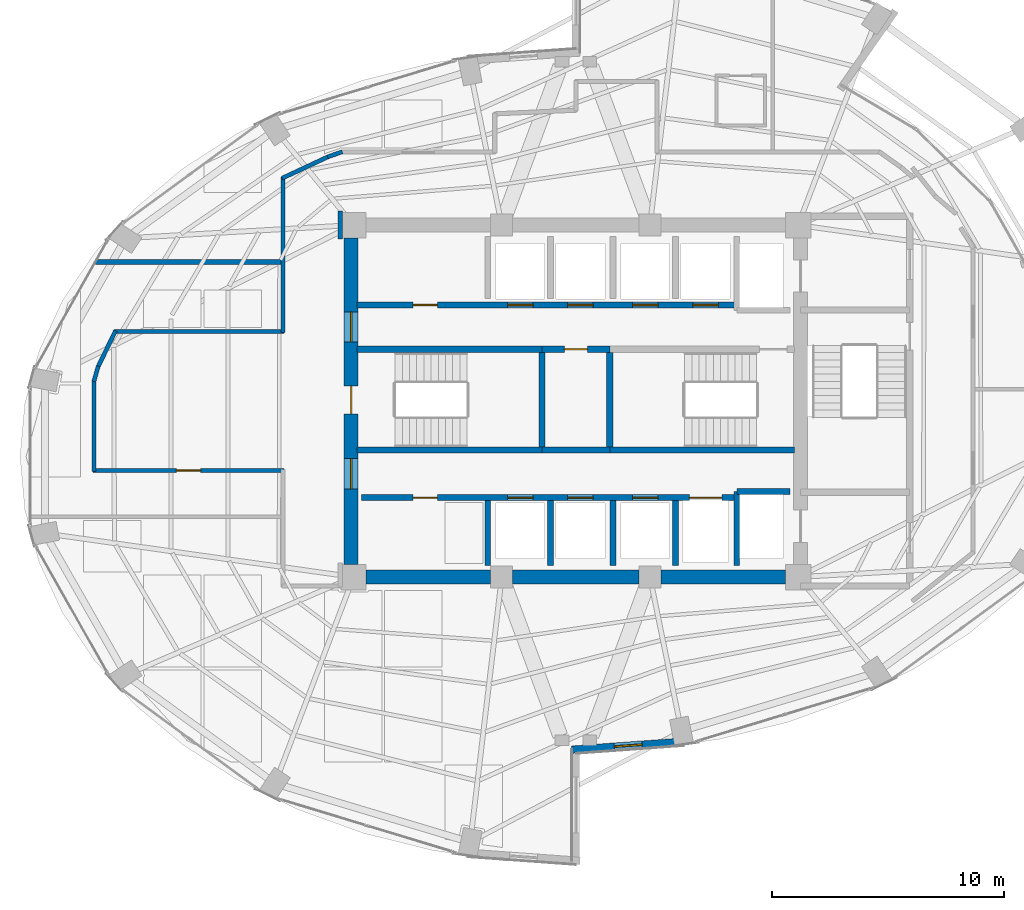
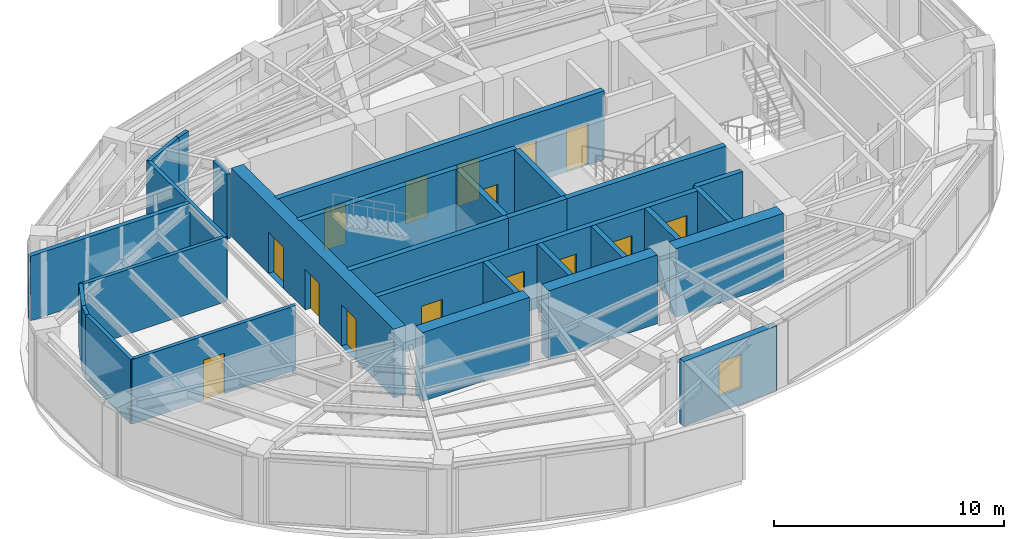
# One storey, part 15 of 19: 30 walls, 15 doors, 1 window, 16 openings.
"""IFC4 building model written with IfcOpenShell, lengths in metres."""

from ifc_helpers import new_model, si_unit, direction, frame, frame_2d, origin, place, context, subcontext, project, spatial, rectangle, extrude, material, layer, layer_set, type_object, element, fill, save


model = new_model("IFC4")

# Units and contexts
model_context = context("Model", 3, precision=1e-05, world=origin(), true_north=direction((0.0, 1.0)))
body_context = subcontext(model_context, "Body", "Model", "MODEL_VIEW")
ifc_project = project(units=[si_unit("LENGTHUNIT", "METRE"), si_unit("AREAUNIT", "SQUARE_METRE"), si_unit("VOLUMEUNIT", "CUBIC_METRE"), si_unit("PLANEANGLEUNIT", "RADIAN"), si_unit("MASSUNIT", "GRAM", prefix="KILO")], contexts=[model_context])

# Site, building, storey
site_placement = place(None, origin())
site = spatial("IfcSite", under=ifc_project, at=site_placement, CompositionType="ELEMENT")
building_placement = place(site_placement, origin())
building = spatial("IfcBuilding", under=site, at=building_placement, Name="Lazwardi Medical Tower", CompositionType="ELEMENT")
storey_placement = place(building_placement, frame((0.0, 0.0, 171.1201171875)))
storey = spatial("IfcBuildingStorey", under=building, at=storey_placement, Name="L44", CompositionType="ELEMENT", Elevation=171.1201171875)

# Walls
ifc_material_1 = material(Name="Fire-rated gypsum board on steel stud", Category="steel")
ifc_layer_1 = layer(ifc_material_1, 0.179931640625)
ifc_layer_set_1 = layer_set([ifc_layer_1], Name="Fire-rated gypsum board on steel stud")
wall_type_1 = type_object("IfcWallType", Name="WL-COR-180", PredefinedType="PARTITIONING", material=ifc_layer_set_1)
wall_1_placement = place(storey_placement, frame((15.350341796875, 29.435791015625, 0.0), z_axis=(0.0, 0.0, 1.0), x_axis=(0.436196025907, 0.899851669434, 0.0)))
element("IfcWall", 1, at=wall_1_placement, inside=storey, type_object=wall_type_1, Name="L44 Corridor partition 1", PredefinedType="PARTITIONING", context=body_context, shape_type="SweptSolid", body=[
    extrude(rectangle(XDim=1.778076171875, YDim=0.179931640625, at=frame_2d((0.88916015625, 0.0))), origin(), (0.0, 0.0, 1.0), 3.427978515625),
])
wall_2_placement = place(storey_placement, frame((16.068359375, 31.0, 0.0), z_axis=(0.0, 0.0, 1.0), x_axis=(1.0, 0.0, 0.0)))
element("IfcWall", 2, at=wall_2_placement, inside=storey, type_object=wall_type_1, Name="L44 Corridor partition 2", PredefinedType="PARTITIONING", context=body_context, shape_type="SweptSolid", body=[
    extrude(rectangle(XDim=7.321533203125, YDim=0.179931640625, at=frame_2d((3.66064453125, 0.0))), origin(), (0.0, 0.0, 1.0), 3.427978515625),
])
wall_3_placement = place(storey_placement, frame((23.35009765625, 30.9599609375, 0.0), z_axis=(0.0, 0.0, 1.0), x_axis=(0.0, 1.0, 0.0)))
element("IfcWall", 3, at=wall_3_placement, inside=storey, type_object=wall_type_1, Name="L44 Corridor partition 3", PredefinedType="PARTITIONING", context=body_context, shape_type="SweptSolid", body=[
    extrude(rectangle(XDim=6.7138671875, YDim=0.179931640625, at=frame_2d((3.35693359375, 0.0))), origin(), (0.0, 0.0, 1.0), 3.427978515625),
])
wall_4_placement = place(storey_placement, frame((23.313720703125, 37.616943359375, 0.0), z_axis=(0.0, 0.0, 1.0), x_axis=(0.905731790856, 0.423851298255, 0.0)))
element("IfcWall", 4, at=wall_4_placement, inside=storey, type_object=wall_type_1, Name="L44 Corridor partition 4", PredefinedType="PARTITIONING", context=body_context, shape_type="SweptSolid", body=[
    extrude(rectangle(XDim=2.255126953125, YDim=0.179931640625, at=frame_2d((1.12744140625, 0.0))), origin(), (0.0, 0.0, 1.0), 3.427978515625),
])
wall_5_placement = place(storey_placement, frame((25.2822265625, 38.54248046875, 0.0), z_axis=(0.0, 0.0, 1.0), x_axis=(0.94508059942, 0.326837361085, 0.0)))
element("IfcWall", 5, at=wall_5_placement, inside=storey, type_object=wall_type_1, Name="L44 Corridor partition 5", PredefinedType="PARTITIONING", context=body_context, shape_type="SweptSolid", body=[
    extrude(rectangle(XDim=0.67529296875, YDim=0.179931640625, at=frame_2d((0.337646484375, 0.0))), origin(), (0.0, 0.0, 1.0), 3.427978515625),
])
wall_6_placement = place(storey_placement, frame((25.830078125, 36.2099609375, 0.0), z_axis=(0.0, 0.0, 1.0), x_axis=(0.0, -1.0, 0.0)))
element("IfcWall", 6, at=wall_6_placement, inside=storey, type_object=wall_type_1, Name="L44 Corridor partition 20", PredefinedType="PARTITIONING", context=body_context, shape_type="SweptSolid", body=[
    extrude(rectangle(XDim=1.219970703125, YDim=0.179931640625, at=frame_2d((0.60986328125, 0.0))), origin(), (0.0, 0.0, 1.0), 3.427978515625),
])

# Wall, opening, door
wall_7_placement = place(storey_placement, frame((23.389892578125, 25.0, 0.0), z_axis=(0.0, 0.0, 1.0), x_axis=(-1.0, 0.0, 0.0)))
wall_7 = element("IfcWall", 7, at=wall_7_placement, inside=storey, type_object=wall_type_1, Name="L44 Corridor partition 24", PredefinedType="PARTITIONING", context=body_context, shape_type="SweptSolid", body=[
    extrude(rectangle(XDim=8.22998046875, YDim=0.179931640625, at=frame_2d((4.114990234375, 0.0))), origin(), (0.0, 0.0, 1.0), 3.427978515625),
])
opening_1_placement = place(wall_7_placement, frame((3.590087890625, 0.0, 0.0)))
opening_1 = element("IfcOpeningElement", 8, at=opening_1_placement, cuts=wall_7, Name="Opening D-L44-012", PredefinedType="OPENING", context=body_context, shape_type="SweptSolid", body=[
    extrude(rectangle(XDim=1.050048828125, YDim=2.14990234375, at=frame_2d((0.52490234375, 1.074951171875))), frame((0.0, 0.099853515625, 0.0), z_axis=(0.0, -1.0, 0.0), x_axis=(1.0, 0.0, 0.0)), (0.0, 0.0, 1.0), 0.199951171875),
])
ifc_material_2 = material(Name="Anti-microbial laminate hospital leaf")
door_type_1 = type_object("IfcDoorType", Name="DR-CLN-1050", OperationType="NOTDEFINED", PredefinedType="DOOR", material=ifc_material_2)
door_1_placement = place(opening_1_placement, origin())
door_1 = element("IfcDoor", 9, at=door_1_placement, inside=storey, type_object=door_type_1, Name="L44 Medical Duty Staff Room Door 04", OperationType="SINGLE_SWING_RIGHT", OverallHeight=2.14990234375, OverallWidth=1.050048828125, PredefinedType="DOOR", context=body_context, shape_type="SweptSolid", body=[
    extrude(rectangle(XDim=1.050048828125, YDim=2.14990234375, at=frame_2d((0.52490234375, 1.074951171875))), frame((0.0, 0.02490234375, 0.0), z_axis=(0.0, -1.0, 0.0), x_axis=(1.0, 0.0, 0.0)), (0.0, 0.0, 1.0), 0.050048828125),
])
fill(opening_1, door_1)

# Walls
wall_8_placement = place(storey_placement, frame((15.199951171875, 24.9599609375, 0.0), z_axis=(0.0, 0.0, 1.0), x_axis=(0.0, 1.0, 0.0)))
element("IfcWall", 10, at=wall_8_placement, inside=storey, type_object=wall_type_1, Name="L44 Corridor partition 25", PredefinedType="PARTITIONING", context=body_context, shape_type="SweptSolid", body=[
    extrude(rectangle(XDim=3.961181640625, YDim=0.179931640625, at=frame_2d((1.98046875, 0.0))), origin(), (0.0, 0.0, 1.0), 3.427978515625),
])
wall_9_placement = place(storey_placement, frame((15.189208984375, 28.842529296875, 0.0), z_axis=(0.0, 0.0, 1.0), x_axis=(0.272862960331, 0.962052911684, 0.0)))
element("IfcWall", 11, at=wall_9_placement, inside=storey, type_object=wall_type_1, Name="L44 Corridor partition 26", PredefinedType="PARTITIONING", context=body_context, shape_type="SweptSolid", body=[
    extrude(rectangle(XDim=0.6943359375, YDim=0.179931640625, at=frame_2d((0.34716796875, 0.0))), origin(), (0.0, 0.0, 1.0), 3.427978515625),
])

# Wall, openings, doors
ifc_material_3 = material(Name="Concrete C60/75", Category="concrete")
ifc_layer_2 = layer(ifc_material_3, 0.60009765625)
ifc_layer_set_2 = layer_set([ifc_layer_2], Name="Concrete C60/75")
wall_type_2 = type_object("IfcWallType", Name="WL-CORE-600", PredefinedType="SHEAR", material=ifc_layer_set_2)
wall_10_placement = place(storey_placement, frame((26.300048828125, 20.949951171875, 0.0), z_axis=(0.0, 0.0, 1.0), x_axis=(0.0, 1.0, 0.0)))
wall_10 = element("IfcWall", 12, at=wall_10_placement, inside=storey, type_object=wall_type_2, Name="Core wall CW-S3 west L44", PredefinedType="SHEAR", context=body_context, shape_type="SweptSolid", body=[
    extrude(rectangle(XDim=14.10009765625, YDim=0.60009765625, at=frame_2d((7.050048828125, 0.0))), origin(), (0.0, 0.0, 1.0), 3.64794921875),
])
opening_2_placement = place(wall_10_placement, frame((6.5, 0.0, 0.0)))
opening_2 = element("IfcOpeningElement", 13, at=opening_2_placement, cuts=wall_10, Name="Opening D-L44-013", PredefinedType="OPENING", context=body_context, shape_type="SweptSolid", body=[
    extrude(rectangle(XDim=1.199951171875, YDim=2.14990234375, at=frame_2d((0.60009765625, 1.074951171875))), frame((0.0, 0.31005859375, 0.0), z_axis=(0.0, -1.0, 0.0), x_axis=(1.0, 0.0, 0.0)), (0.0, 0.0, 1.0), 0.6201171875),
])
opening_3_placement = place(wall_10_placement, frame((9.60009765625, 0.0, 0.0)))
opening_3 = element("IfcOpeningElement", 14, at=opening_3_placement, cuts=wall_10, Name="Opening D-L44-007", PredefinedType="OPENING", context=body_context, shape_type="SweptSolid", body=[
    extrude(rectangle(XDim=1.300048828125, YDim=2.199951171875, at=frame_2d((0.64990234375, 1.10009765625))), frame((0.0, 0.31005859375, 0.0), z_axis=(0.0, -1.0, 0.0), x_axis=(1.0, 0.0, 0.0)), (0.0, 0.0, 1.0), 0.6201171875),
])
opening_4_placement = place(wall_10_placement, frame((3.260009765625, 0.0, 0.0)))
opening_4 = element("IfcOpeningElement", 15, at=opening_4_placement, cuts=wall_10, Name="Opening D-L44-008", PredefinedType="OPENING", context=body_context, shape_type="SweptSolid", body=[
    extrude(rectangle(XDim=1.300048828125, YDim=2.199951171875, at=frame_2d((0.64990234375, 1.10009765625))), frame((0.0, 0.31005859375, 0.0), z_axis=(0.0, -1.0, 0.0), x_axis=(1.0, 0.0, 0.0)), (0.0, 0.0, 1.0), 0.6201171875),
])
ifc_material_4 = material(Name="Fire-rated steel leaf and frame", Category="steel")
door_type_2 = type_object("IfcDoorType", Name="DR-FFL-1300", OperationType="NOTDEFINED", PredefinedType="DOOR", material=ifc_material_4)
door_2_placement = place(opening_3_placement, origin())
door_2 = element("IfcDoor", 16, at=door_2_placement, inside=storey, type_object=door_type_2, Name="L44 North Lift Lobby Door", OperationType="SINGLE_SWING_LEFT", OverallHeight=2.199951171875, OverallWidth=1.300048828125, PredefinedType="DOOR", context=body_context, shape_type="SweptSolid", body=[
    extrude(rectangle(XDim=1.300048828125, YDim=2.199951171875, at=frame_2d((0.64990234375, 1.10009765625))), frame((0.0, 0.02490234375, 0.0), z_axis=(0.0, -1.0, 0.0), x_axis=(1.0, 0.0, 0.0)), (0.0, 0.0, 1.0), 0.050048828125),
])
fill(opening_3, door_2)
door_3_placement = place(opening_4_placement, origin())
door_3 = element("IfcDoor", 17, at=door_3_placement, inside=storey, type_object=door_type_2, Name="L44 South Lift Lobby Door", OperationType="SINGLE_SWING_RIGHT", OverallHeight=2.199951171875, OverallWidth=1.300048828125, PredefinedType="DOOR", context=body_context, shape_type="SweptSolid", body=[
    extrude(rectangle(XDim=1.300048828125, YDim=2.199951171875, at=frame_2d((0.64990234375, 1.10009765625))), frame((0.0, 0.02490234375, 0.0), z_axis=(0.0, -1.0, 0.0), x_axis=(1.0, 0.0, 0.0)), (0.0, 0.0, 1.0), 0.050048828125),
])
fill(opening_4, door_3)
door_type_3 = type_object("IfcDoorType", Name="DR-STR-1200", OperationType="NOTDEFINED", PredefinedType="DOOR", material=ifc_material_4)
door_4_placement = place(opening_2_placement, origin())
door_4 = element("IfcDoor", 18, at=door_4_placement, inside=storey, type_object=door_type_3, Name="L44 Exit Stair ST1 Door", OperationType="SINGLE_SWING_RIGHT", OverallHeight=2.14990234375, OverallWidth=1.199951171875, PredefinedType="DOOR", context=body_context, shape_type="SweptSolid", body=[
    extrude(rectangle(XDim=1.199951171875, YDim=2.14990234375, at=frame_2d((0.60009765625, 1.074951171875))), frame((0.0, 0.02490234375, 0.0), z_axis=(0.0, -1.0, 0.0), x_axis=(1.0, 0.0, 0.0)), (0.0, 0.0, 1.0), 0.050048828125),
])
fill(opening_2, door_4)

# Walls
wall_11_placement = place(storey_placement, frame((26.949951171875, 20.39990234375, 0.0), z_axis=(0.0, 0.0, 1.0), x_axis=(1.0, 0.0, 0.0)))
element("IfcWall", 19, at=wall_11_placement, inside=storey, type_object=wall_type_2, Name="Core wall CW-S3 S1 L44", PredefinedType="SHEAR", context=body_context, shape_type="SweptSolid", body=[
    extrude(rectangle(XDim=5.375, YDim=0.60009765625, at=frame_2d((2.6875, 0.0))), origin(), (0.0, 0.0, 1.0), 3.64794921875),
])
wall_12_placement = place(storey_placement, frame((33.27490234375, 20.39990234375, 0.0), z_axis=(0.0, 0.0, 1.0), x_axis=(1.0, 0.0, 0.0)))
element("IfcWall", 20, at=wall_12_placement, inside=storey, type_object=wall_type_2, Name="Core wall CW-S3 S2 L44", PredefinedType="SHEAR", context=body_context, shape_type="SweptSolid", body=[
    extrude(rectangle(XDim=5.4501953125, YDim=0.60009765625, at=frame_2d((2.72509765625, 0.0))), origin(), (0.0, 0.0, 1.0), 3.64794921875),
])
wall_13_placement = place(storey_placement, frame((39.675048828125, 20.39990234375, 0.0), z_axis=(0.0, 0.0, 1.0), x_axis=(1.0, 0.0, 0.0)))
element("IfcWall", 21, at=wall_13_placement, inside=storey, type_object=wall_type_2, Name="Core wall CW-S3 S3 L44", PredefinedType="SHEAR", context=body_context, shape_type="SweptSolid", body=[
    extrude(rectangle(XDim=5.375, YDim=0.60009765625, at=frame_2d((2.6875, 0.0))), origin(), (0.0, 0.0, 1.0), 3.64794921875),
])

# Wall, opening, window
ifc_material_5 = material(Name="Precast concrete C45/55", Category="concrete")
ifc_layer_3 = layer(ifc_material_5, 0.320068359375)
ifc_layer_set_3 = layer_set([ifc_layer_3], Name="Precast concrete C45/55")
wall_type_3 = type_object("IfcWallType", Name="WL-IWAN-320", PredefinedType="SOLIDWALL", material=ifc_layer_set_3)
wall_14_placement = place(storey_placement, frame((35.820556640625, 12.947021484375, 0.0), z_axis=(0.0, 0.0, 1.0), x_axis=(0.997415460462, 0.071849838072, 0.0)))
wall_14 = element("IfcWall", 22, at=wall_14_placement, inside=storey, type_object=wall_type_3, Name="L44 Iwan Portal Return Wall SE_ret", PredefinedType="SOLIDWALL", context=body_context, shape_type="SweptSolid", body=[
    extrude(rectangle(XDim=4.89306640625, YDim=0.320068359375, at=frame_2d((2.446533203125, 0.0))), origin(), (0.0, 0.0, 1.0), 3.427978515625),
])
opening_5_placement = place(wall_14_placement, frame((1.846435546875, 0.0, 0.85009765625)))
opening_5 = element("IfcOpeningElement", 23, at=opening_5_placement, cuts=wall_14, Name="Opening WN-04", PredefinedType="OPENING", context=body_context, shape_type="SweptSolid", body=[
    extrude(rectangle(XDim=1.199951171875, YDim=1.800048828125, at=frame_2d((0.60009765625, 0.89990234375))), frame((0.0, 0.169921875, 0.0), z_axis=(0.0, -1.0, 0.0), x_axis=(1.0, 0.0, 0.0)), (0.0, 0.0, 1.0), 0.340087890625),
])
ifc_material_6 = material(Name="Low-e bronze solar control double glazing", Category="glass")
window_type = type_object("IfcWindowType", Name="WIN-DRUM-1200", PartitioningType="SINGLE_PANEL", PredefinedType="WINDOW", material=ifc_material_6)
window_placement = place(opening_5_placement, origin())
window = element("IfcWindow", 24, at=window_placement, inside=storey, type_object=window_type, Name="L44 Iwan Slot Window SE_ret", OverallHeight=1.800048828125, OverallWidth=1.199951171875, PartitioningType="SINGLE_PANEL", PredefinedType="WINDOW", context=body_context, shape_type="SweptSolid", body=[
    extrude(rectangle(XDim=1.199951171875, YDim=1.800048828125, at=frame_2d((0.60009765625, 0.89990234375))), frame((0.0, 0.030029296875, 0.0), z_axis=(0.0, -1.0, 0.0), x_axis=(1.0, 0.0, 0.0)), (0.0, 0.0, 1.0), 0.06005859375),
])
fill(opening_5, window)

# Wall, openings, doors
ifc_material_7 = material(Name="Autoclaved aerated concrete blockwork", Category="masonry")
ifc_layer_4 = layer(ifc_material_7, 0.25)
ifc_layer_set_4 = layer_set([ifc_layer_4], Name="Autoclaved aerated concrete blockwork")
wall_type_4 = type_object("IfcWallType", Name="WL-SHAFT-250", PredefinedType="SOLIDWALL", material=ifc_layer_set_4)
wall_15_placement = place(storey_placement, frame((26.75, 23.830078125, 0.0), z_axis=(0.0, 0.0, 1.0), x_axis=(1.0, 0.0, 0.0)))
wall_15 = element("IfcWall", 25, at=wall_15_placement, inside=storey, type_object=wall_type_4, Name="L44 South lift bank front wall", PredefinedType="SOLIDWALL", context=body_context, shape_type="SweptSolid", body=[
    extrude(rectangle(XDim=16.199951171875, YDim=0.25, at=frame_2d((8.10009765625, 0.0))), origin(), (0.0, 0.0, 1.0), 3.427978515625),
])
opening_6_placement = place(wall_15_placement, frame((2.22509765625, 0.0, 0.0)))
opening_6 = element("IfcOpeningElement", 26, at=opening_6_placement, cuts=wall_15, Name="Opening D-L44-004", PredefinedType="OPENING", context=body_context, shape_type="SweptSolid", body=[
    extrude(rectangle(XDim=1.050048828125, YDim=2.14990234375, at=frame_2d((0.52490234375, 1.074951171875))), frame((0.0, 0.135009765625, 0.0), z_axis=(0.0, -1.0, 0.0), x_axis=(1.0, 0.0, 0.0)), (0.0, 0.0, 1.0), 0.27001953125),
])
opening_7_placement = place(wall_15_placement, frame((6.300048828125, 0.0, 0.0)))
opening_7 = element("IfcOpeningElement", 27, at=opening_7_placement, cuts=wall_15, Name="Opening LD-L44-006", PredefinedType="OPENING", context=body_context, shape_type="SweptSolid", body=[
    extrude(rectangle(XDim=1.10009765625, YDim=2.199951171875, at=frame_2d((0.550048828125, 1.10009765625))), frame((0.0, 0.135009765625, 0.0), z_axis=(0.0, -1.0, 0.0), x_axis=(1.0, 0.0, 0.0)), (0.0, 0.0, 1.0), 0.27001953125),
])
opening_8_placement = place(wall_15_placement, frame((8.89990234375, 0.0, 0.0)))
opening_8 = element("IfcOpeningElement", 28, at=opening_8_placement, cuts=wall_15, Name="Opening LD-L44-007", PredefinedType="OPENING", context=body_context, shape_type="SweptSolid", body=[
    extrude(rectangle(XDim=1.10009765625, YDim=2.199951171875, at=frame_2d((0.550048828125, 1.10009765625))), frame((0.0, 0.135009765625, 0.0), z_axis=(0.0, -1.0, 0.0), x_axis=(1.0, 0.0, 0.0)), (0.0, 0.0, 1.0), 0.27001953125),
])
opening_9_placement = place(wall_15_placement, frame((11.699951171875, 0.0, 0.0)))
opening_9 = element("IfcOpeningElement", 29, at=opening_9_placement, cuts=wall_15, Name="Opening LD-L44-010", PredefinedType="OPENING", context=body_context, shape_type="SweptSolid", body=[
    extrude(rectangle(XDim=1.10009765625, YDim=2.199951171875, at=frame_2d((0.550048828125, 1.10009765625))), frame((0.0, 0.135009765625, 0.0), z_axis=(0.0, -1.0, 0.0), x_axis=(1.0, 0.0, 0.0)), (0.0, 0.0, 1.0), 0.27001953125),
])
opening_10_placement = place(wall_15_placement, frame((14.14990234375, 0.0, 0.0)))
opening_10 = element("IfcOpeningElement", 30, at=opening_10_placement, cuts=wall_15, Name="Opening LD-L44-003", PredefinedType="OPENING", context=body_context, shape_type="SweptSolid", body=[
    extrude(rectangle(XDim=1.39990234375, YDim=2.300048828125, at=frame_2d((0.699951171875, 1.14990234375))), frame((0.0, 0.135009765625, 0.0), z_axis=(0.0, -1.0, 0.0), x_axis=(1.0, 0.0, 0.0)), (0.0, 0.0, 1.0), 0.27001953125),
])
door_5_placement = place(opening_6_placement, origin())
door_5 = element("IfcDoor", 31, at=door_5_placement, inside=storey, type_object=door_type_1, Name="L44 Medication Door", OperationType="SINGLE_SWING_RIGHT", OverallHeight=2.14990234375, OverallWidth=1.050048828125, PredefinedType="DOOR", context=body_context, shape_type="SweptSolid", body=[
    extrude(rectangle(XDim=1.050048828125, YDim=2.14990234375, at=frame_2d((0.52490234375, 1.074951171875))), frame((0.0, 0.02490234375, 0.0), z_axis=(0.0, -1.0, 0.0), x_axis=(1.0, 0.0, 0.0)), (0.0, 0.0, 1.0), 0.050048828125),
])
fill(opening_6, door_5)
ifc_material_8 = material(Name="Brushed bronze stainless steel landing door", Category="steel")
door_type_4 = type_object("IfcDoorType", Name="DR-LFT-1100", OperationType="NOTDEFINED", PredefinedType="DOOR", material=ifc_material_8)
door_6_placement = place(opening_7_placement, origin())
door_6 = element("IfcDoor", 32, at=door_6_placement, inside=storey, type_object=door_type_4, Name="L44 Lift Landing Door PL-07", OperationType="SLIDING_TO_LEFT", OverallHeight=2.199951171875, OverallWidth=1.10009765625, PredefinedType="DOOR", context=body_context, shape_type="SweptSolid", body=[
    extrude(rectangle(XDim=1.10009765625, YDim=2.199951171875, at=frame_2d((0.550048828125, 1.10009765625))), frame((0.0, 0.02490234375, 0.0), z_axis=(0.0, -1.0, 0.0), x_axis=(1.0, 0.0, 0.0)), (0.0, 0.0, 1.0), 0.050048828125),
])
fill(opening_7, door_6)
door_7_placement = place(opening_8_placement, origin())
door_7 = element("IfcDoor", 33, at=door_7_placement, inside=storey, type_object=door_type_4, Name="L44 Lift Landing Door PL-08", OperationType="SLIDING_TO_LEFT", OverallHeight=2.199951171875, OverallWidth=1.10009765625, PredefinedType="DOOR", context=body_context, shape_type="SweptSolid", body=[
    extrude(rectangle(XDim=1.10009765625, YDim=2.199951171875, at=frame_2d((0.550048828125, 1.10009765625))), frame((0.0, 0.02490234375, 0.0), z_axis=(0.0, -1.0, 0.0), x_axis=(1.0, 0.0, 0.0)), (0.0, 0.0, 1.0), 0.050048828125),
])
fill(opening_8, door_7)
door_8_placement = place(opening_9_placement, origin())
door_8 = element("IfcDoor", 34, at=door_8_placement, inside=storey, type_object=door_type_4, Name="L44 Lift Landing Door PL-11", OperationType="SLIDING_TO_LEFT", OverallHeight=2.199951171875, OverallWidth=1.10009765625, PredefinedType="DOOR", context=body_context, shape_type="SweptSolid", body=[
    extrude(rectangle(XDim=1.10009765625, YDim=2.199951171875, at=frame_2d((0.550048828125, 1.10009765625))), frame((0.0, 0.02490234375, 0.0), z_axis=(0.0, -1.0, 0.0), x_axis=(1.0, 0.0, 0.0)), (0.0, 0.0, 1.0), 0.050048828125),
])
fill(opening_9, door_8)
ifc_material_9 = material(Name="Brushed stainless steel bed-lift landing door", Category="steel")
door_type_5 = type_object("IfcDoorType", Name="DR-LFT-1400", OperationType="NOTDEFINED", PredefinedType="DOOR", material=ifc_material_9)
door_9_placement = place(opening_10_placement, origin())
door_9 = element("IfcDoor", 35, at=door_9_placement, inside=storey, type_object=door_type_5, Name="L44 Lift Landing Door FL-03", OperationType="SLIDING_TO_LEFT", OverallHeight=2.300048828125, OverallWidth=1.39990234375, PredefinedType="DOOR", context=body_context, shape_type="SweptSolid", body=[
    extrude(rectangle(XDim=1.39990234375, YDim=2.300048828125, at=frame_2d((0.699951171875, 1.14990234375))), frame((0.0, 0.02490234375, 0.0), z_axis=(0.0, -1.0, 0.0), x_axis=(1.0, 0.0, 0.0)), (0.0, 0.0, 1.0), 0.050048828125),
])
fill(opening_10, door_9)

# Walls
wall_16_placement = place(storey_placement, frame((42.949951171875, 20.89990234375, 0.0), z_axis=(0.0, 0.0, 1.0), x_axis=(0.0, 1.0, 0.0)))
element("IfcWall", 36, at=wall_16_placement, inside=storey, type_object=wall_type_4, Name="L44 FL-02 West shaft wall", PredefinedType="SOLIDWALL", context=body_context, shape_type="SweptSolid", body=[
    extrude(rectangle(XDim=3.2001953125, YDim=0.25, at=frame_2d((1.60009765625, 0.0))), origin(), (0.0, 0.0, 1.0), 3.427978515625),
])
wall_17_placement = place(storey_placement, frame((42.949951171875, 24.10009765625, 0.0), z_axis=(0.0, 0.0, 1.0), x_axis=(1.0, 0.0, 0.0)))
element("IfcWall", 37, at=wall_17_placement, inside=storey, type_object=wall_type_4, Name="L44 FL-02 North shaft wall", PredefinedType="SOLIDWALL", context=body_context, shape_type="SweptSolid", body=[
    extrude(rectangle(XDim=2.300048828125, YDim=0.25, at=frame_2d((1.14990234375, 0.0))), origin(), (0.0, 0.0, 1.0), 3.427978515625),
])
for number, where, z_axis, x_axis, name in (
    (38, (32.199951171875, 20.89990234375, 0.0), (0.0, 0.0, 1.0), (0.0, 1.0, 0.0), "L44 South hoistway divider"),
    (39, (34.89990234375, 20.89990234375, 0.0), (0.0, 0.0, 1.0), (0.0, 1.0, 0.0), "L44 South hoistway divider"),
    (40, (37.60009765625, 20.89990234375, 0.0), (0.0, 0.0, 1.0), (0.0, 1.0, 0.0), "L44 South hoistway divider"),
    (41, (40.300048828125, 20.89990234375, 0.0), (0.0, 0.0, 1.0), (0.0, 1.0, 0.0), "L44 South hoistway divider"),
):
    element("IfcWall", number, at=place(storey_placement, frame(where, z_axis=z_axis, x_axis=x_axis)), inside=storey, type_object=wall_type_4, Name=name, PredefinedType="SOLIDWALL", context=body_context, shape_type="SweptSolid", body=[
        extrude(rectangle(XDim=2.800048828125, YDim=0.25, at=frame_2d((1.39990234375, 0.0))), origin(), (0.0, 0.0, 1.0), 3.427978515625),
    ])
ifc_layer_5 = layer(ifc_material_1, 0.219970703125)
ifc_layer_set_5 = layer_set([ifc_layer_5], Name="Fire-rated gypsum board on steel stud")
wall_type_5 = type_object("IfcWallType", Name="WL-SMK-220", PredefinedType="PARTITIONING", material=ifc_layer_set_5)
wall_18_placement = place(storey_placement, frame((15.260986328125, 34.0, 0.0), z_axis=(0.0, 0.0, 1.0), x_axis=(1.0, 0.0, 0.0)))
element("IfcWall", 42, at=wall_18_placement, inside=storey, type_object=wall_type_5, Name="L44 Room partition 2", PredefinedType="PARTITIONING", context=body_context, shape_type="SweptSolid", body=[
    extrude(rectangle(XDim=7.9990234375, YDim=0.219970703125, at=frame_2d((3.99951171875, 0.0))), origin(), (0.0, 0.0, 1.0), 3.427978515625),
])
ifc_material_10 = material(Name="Concrete C50/60", Category="concrete")
ifc_layer_6 = layer(ifc_material_10, 0.27001953125)
ifc_layer_set_6 = layer_set([ifc_layer_6], Name="Concrete C50/60")
wall_type_6 = type_object("IfcWallType", Name="WL-STR-250", PredefinedType="SHEAR", material=ifc_layer_set_6)
wall_19_placement = place(storey_placement, frame((26.550048828125, 30.235107421875, 0.0), z_axis=(0.0, 0.0, 1.0), x_axis=(1.0, 0.0, 0.0)))
element("IfcWall", 43, at=wall_19_placement, inside=storey, type_object=wall_type_6, Name="L44 ST1 North shear shaft wall SW-S1", PredefinedType="SHEAR", context=body_context, shape_type="SweptSolid", body=[
    extrude(rectangle(XDim=7.98486328125, YDim=0.27001953125, at=frame_2d((3.992431640625, 0.0))), origin(), (0.0, 0.0, 1.0), 3.64794921875),
])

# Wall, opening, door
wall_20_placement = place(storey_placement, frame((34.534912109375, 30.235107421875, 0.0), z_axis=(0.0, 0.0, 1.0), x_axis=(1.0, 0.0, 0.0)))
wall_20 = element("IfcWall", 44, at=wall_20_placement, inside=storey, type_object=wall_type_6, Name="L44 Core service North shear wall SW-S1", PredefinedType="SHEAR", context=body_context, shape_type="SweptSolid", body=[
    extrude(rectangle(XDim=2.93017578125, YDim=0.27001953125, at=frame_2d((1.465087890625, 0.0))), origin(), (0.0, 0.0, 1.0), 3.64794921875),
])
opening_11_placement = place(wall_20_placement, frame((0.965087890625, 0.0, 0.0)))
opening_11 = element("IfcOpeningElement", 45, at=opening_11_placement, cuts=wall_20, Name="Opening D-L44-001", PredefinedType="OPENING", context=body_context, shape_type="SweptSolid", body=[
    extrude(rectangle(XDim=1.0, YDim=2.10009765625, at=frame_2d((0.5, 1.050048828125))), frame((0.0, 0.14501953125, 0.0), z_axis=(0.0, -1.0, 0.0), x_axis=(1.0, 0.0, 0.0)), (0.0, 0.0, 1.0), 0.2900390625),
])
ifc_material_11 = material(Name="Moisture-resistant laminate door leaf")
door_type_6 = type_object("IfcDoorType", Name="DR-AWC-1000", OperationType="NOTDEFINED", PredefinedType="DOOR", material=ifc_material_11)
door_10_placement = place(opening_11_placement, origin())
door_10 = element("IfcDoor", 46, at=door_10_placement, inside=storey, type_object=door_type_6, Name="L44 Accessible WC Door", OperationType="SINGLE_SWING_RIGHT", OverallHeight=2.10009765625, OverallWidth=1.0, PredefinedType="DOOR", context=body_context, shape_type="SweptSolid", body=[
    extrude(rectangle(XDim=1.0, YDim=2.10009765625, at=frame_2d((0.5, 1.050048828125))), frame((0.0, 0.02490234375, 0.0), z_axis=(0.0, -1.0, 0.0), x_axis=(1.0, 0.0, 0.0)), (0.0, 0.0, 1.0), 0.050048828125),
])
fill(opening_11, door_10)

# Walls
wall_21_placement = place(storey_placement, frame((26.550048828125, 25.885009765625, 0.0), z_axis=(0.0, 0.0, 1.0), x_axis=(1.0, 0.0, 0.0)))
element("IfcWall", 47, at=wall_21_placement, inside=storey, type_object=wall_type_6, Name="L44 ST1 South shear shaft wall SW-S1", PredefinedType="SHEAR", context=body_context, shape_type="SweptSolid", body=[
    extrude(rectangle(XDim=7.98486328125, YDim=0.27001953125, at=frame_2d((3.992431640625, 0.0))), origin(), (0.0, 0.0, 1.0), 3.64794921875),
])
wall_22_placement = place(storey_placement, frame((34.534912109375, 25.885009765625, 0.0), z_axis=(0.0, 0.0, 1.0), x_axis=(1.0, 0.0, 0.0)))
element("IfcWall", 48, at=wall_22_placement, inside=storey, type_object=wall_type_6, Name="L44 Core service South shear wall SW-S1", PredefinedType="SHEAR", context=body_context, shape_type="SweptSolid", body=[
    extrude(rectangle(XDim=2.93017578125, YDim=0.27001953125, at=frame_2d((1.465087890625, 0.0))), origin(), (0.0, 0.0, 1.0), 3.64794921875),
])
wall_23_placement = place(storey_placement, frame((37.465087890625, 25.885009765625, 0.0), z_axis=(0.0, 0.0, 1.0), x_axis=(1.0, 0.0, 0.0)))
element("IfcWall", 49, at=wall_23_placement, inside=storey, type_object=wall_type_6, Name="L44 ST2 South shear shaft wall SW-S1", PredefinedType="SHEAR", context=body_context, shape_type="SweptSolid", body=[
    extrude(rectangle(XDim=7.98486328125, YDim=0.27001953125, at=frame_2d((3.992431640625, 0.0))), origin(), (0.0, 0.0, 1.0), 3.64794921875),
])
for number, where, z_axis, x_axis, name in (
    (50, (34.534912109375, 26.02001953125, 0.0), (0.0, 0.0, 1.0), (0.0, 1.0, 0.0), "L44 ST1 East shear shaft wall SW-S1"),
    (51, (37.465087890625, 26.02001953125, 0.0), (0.0, 0.0, 1.0), (0.0, 1.0, 0.0), "L44 ST2 West shear shaft wall SW-S1"),
):
    element("IfcWall", number, at=place(storey_placement, frame(where, z_axis=z_axis, x_axis=x_axis)), inside=storey, type_object=wall_type_6, Name=name, PredefinedType="SHEAR", context=body_context, shape_type="SweptSolid", body=[
        extrude(rectangle(XDim=4.080078125, YDim=0.27001953125, at=frame_2d((2.0400390625, 0.0))), origin(), (0.0, 0.0, 1.0), 3.64794921875),
    ])

# Wall, openings, doors
wall_24_placement = place(storey_placement, frame((26.550048828125, 32.14990234375, 0.0), z_axis=(0.0, 0.0, 1.0), x_axis=(1.0, 0.0, 0.0)))
wall_24 = element("IfcWall", 52, at=wall_24_placement, inside=storey, type_object=wall_type_6, Name="L44 North lift bank shear wall SW-S1", PredefinedType="SHEAR", context=body_context, shape_type="SweptSolid", body=[
    extrude(rectangle(XDim=16.39990234375, YDim=0.27001953125, at=frame_2d((8.199951171875, 0.0))), origin(), (0.0, 0.0, 1.0), 3.64794921875),
])
opening_12_placement = place(wall_24_placement, frame((2.425048828125, 0.0, 0.0)))
opening_12 = element("IfcOpeningElement", 53, at=opening_12_placement, cuts=wall_24, Name="Opening D-L44-003", PredefinedType="OPENING", context=body_context, shape_type="SweptSolid", body=[
    extrude(rectangle(XDim=1.050048828125, YDim=2.14990234375, at=frame_2d((0.52490234375, 1.074951171875))), frame((0.0, 0.14501953125, 0.0), z_axis=(0.0, -1.0, 0.0), x_axis=(1.0, 0.0, 0.0)), (0.0, 0.0, 1.0), 0.2900390625),
])
opening_13_placement = place(wall_24_placement, frame((6.5, 0.0, 0.0)))
opening_13 = element("IfcOpeningElement", 54, at=opening_13_placement, cuts=wall_24, Name="Opening LD-L44-004", PredefinedType="OPENING", context=body_context, shape_type="SweptSolid", body=[
    extrude(rectangle(XDim=1.10009765625, YDim=2.199951171875, at=frame_2d((0.550048828125, 1.10009765625))), frame((0.0, 0.14501953125, 0.0), z_axis=(0.0, -1.0, 0.0), x_axis=(1.0, 0.0, 0.0)), (0.0, 0.0, 1.0), 0.2900390625),
])
opening_14_placement = place(wall_24_placement, frame((9.10009765625, 0.0, 0.0)))
opening_14 = element("IfcOpeningElement", 55, at=opening_14_placement, cuts=wall_24, Name="Opening LD-L44-005", PredefinedType="OPENING", context=body_context, shape_type="SweptSolid", body=[
    extrude(rectangle(XDim=1.10009765625, YDim=2.199951171875, at=frame_2d((0.550048828125, 1.10009765625))), frame((0.0, 0.14501953125, 0.0), z_axis=(0.0, -1.0, 0.0), x_axis=(1.0, 0.0, 0.0)), (0.0, 0.0, 1.0), 0.2900390625),
])
opening_15_placement = place(wall_24_placement, frame((11.89990234375, 0.0, 0.0)))
opening_15 = element("IfcOpeningElement", 56, at=opening_15_placement, cuts=wall_24, Name="Opening LD-L44-008", PredefinedType="OPENING", context=body_context, shape_type="SweptSolid", body=[
    extrude(rectangle(XDim=1.10009765625, YDim=2.199951171875, at=frame_2d((0.550048828125, 1.10009765625))), frame((0.0, 0.14501953125, 0.0), z_axis=(0.0, -1.0, 0.0), x_axis=(1.0, 0.0, 0.0)), (0.0, 0.0, 1.0), 0.2900390625),
])
opening_16_placement = place(wall_24_placement, frame((14.5, 0.0, 0.0)))
opening_16 = element("IfcOpeningElement", 57, at=opening_16_placement, cuts=wall_24, Name="Opening LD-L44-009", PredefinedType="OPENING", context=body_context, shape_type="SweptSolid", body=[
    extrude(rectangle(XDim=1.10009765625, YDim=2.199951171875, at=frame_2d((0.550048828125, 1.10009765625))), frame((0.0, 0.14501953125, 0.0), z_axis=(0.0, -1.0, 0.0), x_axis=(1.0, 0.0, 0.0)), (0.0, 0.0, 1.0), 0.2900390625),
])
door_11_placement = place(opening_12_placement, origin())
door_11 = element("IfcDoor", 58, at=door_11_placement, inside=storey, type_object=door_type_1, Name="L44 Telemedicine Door", OperationType="SINGLE_SWING_LEFT", OverallHeight=2.14990234375, OverallWidth=1.050048828125, PredefinedType="DOOR", context=body_context, shape_type="SweptSolid", body=[
    extrude(rectangle(XDim=1.050048828125, YDim=2.14990234375, at=frame_2d((0.52490234375, 1.074951171875))), frame((0.0, 0.02490234375, 0.0), z_axis=(0.0, -1.0, 0.0), x_axis=(1.0, 0.0, 0.0)), (0.0, 0.0, 1.0), 0.050048828125),
])
fill(opening_12, door_11)
door_12_placement = place(opening_13_placement, origin())
door_12 = element("IfcDoor", 59, at=door_12_placement, inside=storey, type_object=door_type_4, Name="L44 Lift Landing Door PL-05", OperationType="SLIDING_TO_LEFT", OverallHeight=2.199951171875, OverallWidth=1.10009765625, PredefinedType="DOOR", context=body_context, shape_type="SweptSolid", body=[
    extrude(rectangle(XDim=1.10009765625, YDim=2.199951171875, at=frame_2d((0.550048828125, 1.10009765625))), frame((0.0, 0.02490234375, 0.0), z_axis=(0.0, -1.0, 0.0), x_axis=(1.0, 0.0, 0.0)), (0.0, 0.0, 1.0), 0.050048828125),
])
fill(opening_13, door_12)
door_13_placement = place(opening_14_placement, origin())
door_13 = element("IfcDoor", 60, at=door_13_placement, inside=storey, type_object=door_type_4, Name="L44 Lift Landing Door PL-06", OperationType="SLIDING_TO_LEFT", OverallHeight=2.199951171875, OverallWidth=1.10009765625, PredefinedType="DOOR", context=body_context, shape_type="SweptSolid", body=[
    extrude(rectangle(XDim=1.10009765625, YDim=2.199951171875, at=frame_2d((0.550048828125, 1.10009765625))), frame((0.0, 0.02490234375, 0.0), z_axis=(0.0, -1.0, 0.0), x_axis=(1.0, 0.0, 0.0)), (0.0, 0.0, 1.0), 0.050048828125),
])
fill(opening_14, door_13)
door_14_placement = place(opening_15_placement, origin())
door_14 = element("IfcDoor", 61, at=door_14_placement, inside=storey, type_object=door_type_4, Name="L44 Lift Landing Door PL-09", OperationType="SLIDING_TO_LEFT", OverallHeight=2.199951171875, OverallWidth=1.10009765625, PredefinedType="DOOR", context=body_context, shape_type="SweptSolid", body=[
    extrude(rectangle(XDim=1.10009765625, YDim=2.199951171875, at=frame_2d((0.550048828125, 1.10009765625))), frame((0.0, 0.02490234375, 0.0), z_axis=(0.0, -1.0, 0.0), x_axis=(1.0, 0.0, 0.0)), (0.0, 0.0, 1.0), 0.050048828125),
])
fill(opening_15, door_14)
door_15_placement = place(opening_16_placement, origin())
door_15 = element("IfcDoor", 62, at=door_15_placement, inside=storey, type_object=door_type_4, Name="L44 Lift Landing Door PL-10", OperationType="SLIDING_TO_LEFT", OverallHeight=2.199951171875, OverallWidth=1.10009765625, PredefinedType="DOOR", context=body_context, shape_type="SweptSolid", body=[
    extrude(rectangle(XDim=1.10009765625, YDim=2.199951171875, at=frame_2d((0.550048828125, 1.10009765625))), frame((0.0, 0.02490234375, 0.0), z_axis=(0.0, -1.0, 0.0), x_axis=(1.0, 0.0, 0.0)), (0.0, 0.0, 1.0), 0.050048828125),
])
fill(opening_16, door_15)

save(model, "model.ifc")
